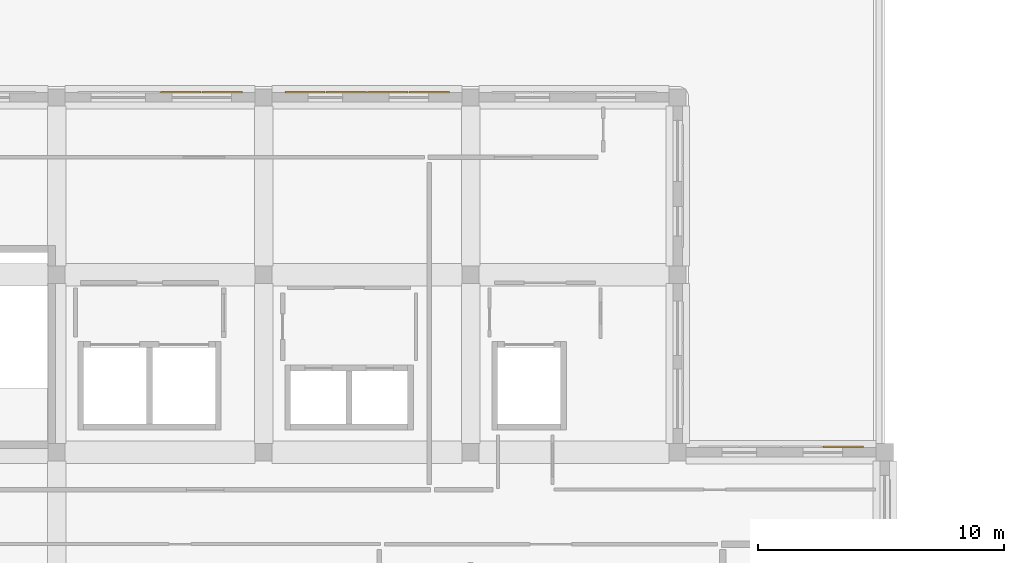
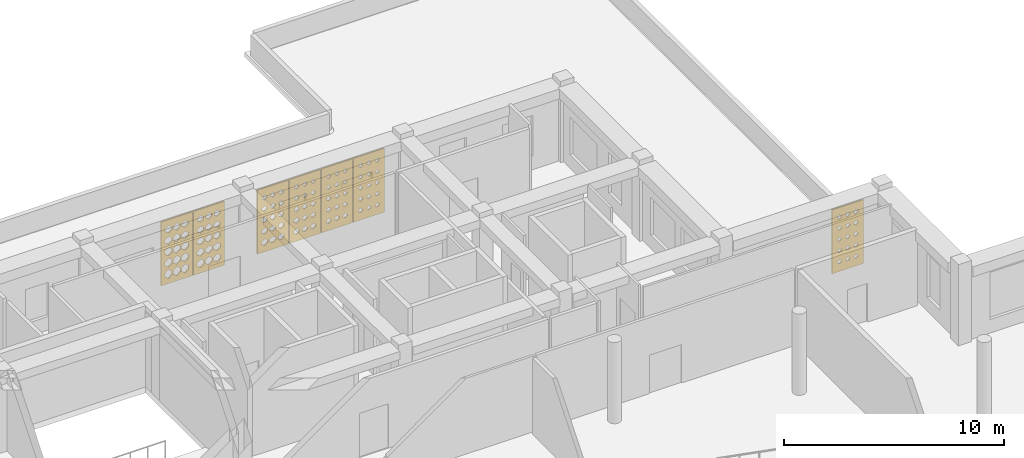
# One storey, part 45 of 47: 7 coverings.
"""IFC4 building model written with IfcOpenShell, lengths in metres."""

from ifc_helpers import new_model, si_unit, derived_unit, direction, frame, origin, place, context, subcontext, project, spatial, polyline, outline, extrude, material, layer, layer_set, type_object, element, save


model = new_model("IFC4")

# Units and contexts
model_context = context("Model", 3, precision=1e-05, world=origin(), true_north=direction((0.0, 1.0)))
body_context = subcontext(model_context, "Body", "Model", "MODEL_VIEW")
ifc_project = project(units=[si_unit("LENGTHUNIT", "METRE"), si_unit("AREAUNIT", "SQUARE_METRE"), si_unit("VOLUMEUNIT", "CUBIC_METRE"), si_unit("PLANEANGLEUNIT", "RADIAN"), si_unit("MASSUNIT", "GRAM", prefix="KILO"), derived_unit("THERMALTRANSMITTANCEUNIT", [(si_unit("POWERUNIT", "WATT"), 1), (si_unit("LENGTHUNIT", "METRE"), -2), (si_unit("THERMODYNAMICTEMPERATUREUNIT", "KELVIN"), -1)])], contexts=[model_context])

# Site, building, storey
site_placement = place(None, origin())
site = spatial("IfcSite", under=ifc_project, at=site_placement, CompositionType="ELEMENT")
building_placement = place(site_placement, origin())
building = spatial("IfcBuilding", under=site, at=building_placement, Name="Veybourne Emporium", CompositionType="ELEMENT")
storey_placement = place(building_placement, frame((0.0, 0.0, 23.39990234375)))
storey = spatial("IfcBuildingStorey", under=building, at=storey_placement, Name="L05", CompositionType="ELEMENT", Elevation=23.39990234375)

# Coverings
ifc_material = material(Name="Warm-White Perforated Aluminium Screen Alloy", Category="aluminium")
ifc_layer_1 = layer(ifc_material, 0.06005859375)
ifc_layer_set_1 = layer_set([ifc_layer_1], Name="Warm-White Perforated Aluminium Screen Alloy")
covering_type_1 = type_object("IfcCoveringType", Name="WaveScreen_SCR-01", PredefinedType="CLADDING", material=ifc_layer_set_1)
covering_1_placement = place(storey_placement, frame((63.840087890625, 86.64794921875, 1.830078125), z_axis=(0.0, -1.0, 0.0), x_axis=(1.0, 0.0, 0.0)))
element("IfcCovering", 1, at=covering_1_placement, inside=storey, type_object=covering_type_1, Name="L05 wave-perforated aluminium screen SCR-01 (40.3)", PredefinedType="CLADDING", context=body_context, shape_type="SweptSolid", body=[
    extrude(outline(polyline([(-0.81982421875, -1.77001953125), (0.81982421875, -1.77001953125), (0.81982421875, 1.77001953125), (-0.81982421875, 1.77001953125), (-0.81982421875, -1.77001953125)]), holes=[polyline([(-0.433349609375, -0.986328125), (-0.2470703125, -1.148681640625), (-0.2470703125, -1.331298828125), (-0.433349609375, -1.49365234375), (-0.61962890625, -1.331298828125), (-0.61962890625, -1.148681640625), (-0.433349609375, -0.986328125)]), polyline([(-0.433349609375, -0.376708984375), (-0.2470703125, -0.532470703125), (-0.2470703125, -0.70751953125), (-0.433349609375, -0.86328125), (-0.61962890625, -0.70751953125), (-0.61962890625, -0.532470703125), (-0.433349609375, -0.376708984375)]), polyline([(-0.433349609375, 0.231201171875), (-0.2470703125, 0.083251953125), (-0.2470703125, -0.083251953125), (-0.433349609375, -0.231201171875), (-0.61962890625, -0.083251953125), (-0.61962890625, 0.083251953125), (-0.433349609375, 0.231201171875)]), polyline([(-0.433349609375, 0.838134765625), (-0.2470703125, 0.698486328125), (-0.2470703125, 0.54150390625), (-0.433349609375, 0.40185546875), (-0.61962890625, 0.54150390625), (-0.61962890625, 0.698486328125), (-0.433349609375, 0.838134765625)]), polyline([(-0.433349609375, 1.444091796875), (-0.25634765625, 1.3134765625), (-0.25634765625, 1.16650390625), (-0.433349609375, 1.035888671875), (-0.6103515625, 1.16650390625), (-0.6103515625, 1.3134765625), (-0.433349609375, 1.444091796875)]), polyline([(0.0, -0.99072265625), (0.186279296875, -1.150390625), (0.186279296875, -1.32958984375), (0.0, -1.4892578125), (-0.186279296875, -1.32958984375), (-0.186279296875, -1.150390625), (0.0, -0.99072265625)]), polyline([(0.0, -0.382080078125), (0.186279296875, -0.5341796875), (0.186279296875, -0.705810546875), (0.0, -0.85791015625), (-0.186279296875, -0.705810546875), (-0.186279296875, -0.5341796875), (0.0, -0.382080078125)]), polyline([(0.0, 0.225341796875), (0.186279296875, 0.081298828125), (0.186279296875, -0.081298828125), (0.0, -0.225341796875), (-0.186279296875, -0.081298828125), (-0.186279296875, 0.081298828125), (0.0, 0.225341796875)]), polyline([(0.0, 0.831787109375), (0.183349609375, 0.6962890625), (0.183349609375, 0.543701171875), (0.0, 0.408203125), (-0.183349609375, 0.543701171875), (-0.183349609375, 0.6962890625), (0.0, 0.831787109375)]), polyline([(0.0, 1.437744140625), (0.171875, 1.311279296875), (0.171875, 1.168701171875), (0.0, 1.042236328125), (-0.171875, 1.168701171875), (-0.171875, 1.311279296875), (0.0, 1.437744140625)]), polyline([(0.433349609375, -0.99560546875), (0.61962890625, -1.152099609375), (0.61962890625, -1.327880859375), (0.433349609375, -1.484375), (0.2470703125, -1.327880859375), (0.2470703125, -1.152099609375), (0.433349609375, -0.99560546875)]), polyline([(0.433349609375, -0.387451171875), (0.61962890625, -0.536376953125), (0.61962890625, -0.70361328125), (0.433349609375, -0.8525390625), (0.2470703125, -0.70361328125), (0.2470703125, -0.536376953125), (0.433349609375, -0.387451171875)]), polyline([(0.433349609375, 0.219482421875), (0.61962890625, 0.0791015625), (0.61962890625, -0.0791015625), (0.433349609375, -0.219482421875), (0.2470703125, -0.0791015625), (0.2470703125, 0.0791015625), (0.433349609375, 0.219482421875)]), polyline([(0.433349609375, 0.82568359375), (0.611572265625, 0.694091796875), (0.611572265625, 0.5458984375), (0.433349609375, 0.414306640625), (0.255126953125, 0.5458984375), (0.255126953125, 0.694091796875), (0.433349609375, 0.82568359375)]), polyline([(0.433349609375, 1.431396484375), (0.599853515625, 1.308837890625), (0.599853515625, 1.171142578125), (0.433349609375, 1.048583984375), (0.266845703125, 1.171142578125), (0.266845703125, 1.308837890625), (0.433349609375, 1.431396484375)])]), origin(), (0.0, 0.0, 1.0), 0.06005859375),
])
covering_2_placement = place(storey_placement, frame((68.8798828125, 86.64794921875, 1.830078125), z_axis=(0.0, -1.0, 0.0), x_axis=(1.0, 0.0, 0.0)))
element("IfcCovering", 2, at=covering_2_placement, inside=storey, type_object=covering_type_1, Name="L05 wave-perforated aluminium screen SCR-01 (42.1)", PredefinedType="CLADDING", context=body_context, shape_type="SweptSolid", body=[
    extrude(outline(polyline([(-0.81982421875, -1.77001953125), (0.81982421875, -1.77001953125), (0.81982421875, 1.77001953125), (-0.81982421875, 1.77001953125), (-0.81982421875, -1.77001953125)]), holes=[polyline([(-0.433349609375, -1.053466796875), (-0.2705078125, -1.1728515625), (-0.2705078125, -1.30712890625), (-0.433349609375, -1.426513671875), (-0.595947265625, -1.30712890625), (-0.595947265625, -1.1728515625), (-0.433349609375, -1.053466796875)]), polyline([(-0.433349609375, -0.447509765625), (-0.2822265625, -0.557861328125), (-0.2822265625, -0.68212890625), (-0.433349609375, -0.79248046875), (-0.58447265625, -0.68212890625), (-0.58447265625, -0.557861328125), (-0.433349609375, -0.447509765625)]), polyline([(-0.433349609375, 0.158935546875), (-0.293212890625, 0.05712890625), (-0.293212890625, -0.05712890625), (-0.433349609375, -0.158935546875), (-0.573486328125, -0.05712890625), (-0.573486328125, 0.05712890625), (-0.433349609375, 0.158935546875)]), polyline([(-0.433349609375, 0.7666015625), (-0.303466796875, 0.672607421875), (-0.303466796875, 0.5673828125), (-0.433349609375, 0.473388671875), (-0.563232421875, 0.5673828125), (-0.563232421875, 0.672607421875), (-0.433349609375, 0.7666015625)]), polyline([(-0.433349609375, 1.375244140625), (-0.3125, 1.288818359375), (-0.3125, 1.19140625), (-0.433349609375, 1.104736328125), (-0.55419921875, 1.19140625), (-0.55419921875, 1.288818359375), (-0.433349609375, 1.375244140625)]), polyline([(0.0, -1.059814453125), (0.157470703125, -1.175048828125), (0.157470703125, -1.304931640625), (0.0, -1.420166015625), (-0.157470703125, -1.304931640625), (-0.157470703125, -1.175048828125), (0.0, -1.059814453125)]), polyline([(0.0, -0.45361328125), (0.14599609375, -0.56005859375), (0.14599609375, -0.679931640625), (0.0, -0.786376953125), (-0.14599609375, -0.679931640625), (-0.14599609375, -0.56005859375), (0.0, -0.45361328125)]), polyline([(0.0, 0.1533203125), (0.13525390625, 0.05517578125), (0.13525390625, -0.05517578125), (0.0, -0.1533203125), (-0.13525390625, -0.05517578125), (-0.13525390625, 0.05517578125), (0.0, 0.1533203125)]), polyline([(0.0, 0.76123046875), (0.12548828125, 0.6708984375), (0.12548828125, 0.569091796875), (0.0, 0.478759765625), (-0.12548828125, 0.569091796875), (-0.12548828125, 0.6708984375), (0.0, 0.76123046875)]), polyline([(0.0, 1.370849609375), (0.1171875, 1.287109375), (0.1171875, 1.19287109375), (0.0, 1.109130859375), (-0.1171875, 1.19287109375), (-0.1171875, 1.287109375), (0.0, 1.370849609375)]), polyline([(0.433349609375, -1.066162109375), (0.585693359375, -1.177490234375), (0.585693359375, -1.302490234375), (0.433349609375, -1.413818359375), (0.281005859375, -1.302490234375), (0.281005859375, -1.177490234375), (0.433349609375, -1.066162109375)]), polyline([(0.433349609375, -0.459716796875), (0.574462890625, -0.562255859375), (0.574462890625, -0.677734375), (0.433349609375, -0.7802734375), (0.292236328125, -0.677734375), (0.292236328125, -0.562255859375), (0.433349609375, -0.459716796875)]), polyline([(0.433349609375, 0.147705078125), (0.564208984375, 0.05322265625), (0.564208984375, -0.05322265625), (0.433349609375, -0.147705078125), (0.302490234375, -0.05322265625), (0.302490234375, 0.05322265625), (0.433349609375, 0.147705078125)]), polyline([(0.433349609375, 0.75634765625), (0.554931640625, 0.669189453125), (0.554931640625, 0.57080078125), (0.433349609375, 0.483642578125), (0.311767578125, 0.57080078125), (0.311767578125, 0.669189453125), (0.433349609375, 0.75634765625)]), polyline([(0.433349609375, 1.36669921875), (0.547119140625, 1.28564453125), (0.547119140625, 1.1943359375), (0.433349609375, 1.11328125), (0.319580078125, 1.1943359375), (0.319580078125, 1.28564453125), (0.433349609375, 1.36669921875)])]), origin(), (0.0, 0.0, 1.0), 0.06005859375),
])
ifc_layer_2 = layer(ifc_material, 0.06005859375)
ifc_layer_set_2 = layer_set([ifc_layer_2], Name="Warm-White Perforated Aluminium Screen Alloy")
covering_type_2 = type_object("IfcCoveringType", Name="WaveScreen_SCR-02", PredefinedType="CLADDING", material=ifc_layer_set_2)
covering_3_placement = place(storey_placement, frame((65.52001953125, 86.64794921875, 1.830078125), z_axis=(0.0, -1.0, 0.0), x_axis=(1.0, 0.0, 0.0)))
element("IfcCovering", 3, at=covering_3_placement, inside=storey, type_object=covering_type_2, Name="L05 wave-perforated aluminium screen SCR-02 (40.4)", PredefinedType="CLADDING", context=body_context, shape_type="SweptSolid", body=[
    extrude(outline(polyline([(-0.81982421875, -1.77001953125), (0.81982421875, -1.77001953125), (0.81982421875, 1.77001953125), (-0.81982421875, 1.77001953125), (-0.81982421875, -1.77001953125)]), holes=[polyline([(-0.433349609375, -1.005615234375), (-0.2470703125, -1.155517578125), (-0.2470703125, -1.324462890625), (-0.433349609375, -1.474609375), (-0.61962890625, -1.324462890625), (-0.61962890625, -1.155517578125), (-0.433349609375, -1.005615234375)]), polyline([(-0.433349609375, -0.3984375), (-0.2470703125, -0.540283203125), (-0.2470703125, -0.69970703125), (-0.433349609375, -0.841552734375), (-0.61962890625, -0.69970703125), (-0.61962890625, -0.540283203125), (-0.433349609375, -0.3984375)]), polyline([(-0.433349609375, 0.207763671875), (-0.25341796875, 0.07470703125), (-0.25341796875, -0.07470703125), (-0.433349609375, -0.207763671875), (-0.61328125, -0.07470703125), (-0.61328125, 0.07470703125), (-0.433349609375, 0.207763671875)]), polyline([(-0.433349609375, 0.8134765625), (-0.264892578125, 0.689697265625), (-0.264892578125, 0.55029296875), (-0.433349609375, 0.426513671875), (-0.601806640625, 0.55029296875), (-0.601806640625, 0.689697265625), (-0.433349609375, 0.8134765625)]), polyline([(-0.433349609375, 1.419189453125), (-0.276611328125, 1.304443359375), (-0.276611328125, 1.175537109375), (-0.433349609375, 1.060791015625), (-0.590087890625, 1.175537109375), (-0.590087890625, 1.304443359375), (-0.433349609375, 1.419189453125)]), polyline([(0.0, -1.01123046875), (0.186279296875, -1.15771484375), (0.186279296875, -1.322509765625), (0.0, -1.46875), (-0.186279296875, -1.322509765625), (-0.186279296875, -1.15771484375), (0.0, -1.01123046875)]), polyline([(0.0, -0.404541015625), (0.186279296875, -0.54248046875), (0.186279296875, -0.697509765625), (0.0, -0.83544921875), (-0.186279296875, -0.697509765625), (-0.186279296875, -0.54248046875), (0.0, -0.404541015625)]), polyline([(0.0, 0.201416015625), (0.1748046875, 0.072509765625), (0.1748046875, -0.072509765625), (0.0, -0.201416015625), (-0.1748046875, -0.072509765625), (-0.1748046875, 0.072509765625), (0.0, 0.201416015625)]), polyline([(0.0, 0.80712890625), (0.1630859375, 0.6875), (0.1630859375, 0.552490234375), (0.0, 0.432861328125), (-0.1630859375, 0.552490234375), (-0.1630859375, 0.6875), (0.0, 0.80712890625)]), polyline([(0.0, 1.4130859375), (0.151611328125, 1.30224609375), (0.151611328125, 1.177734375), (0.0, 1.06689453125), (-0.151611328125, 1.177734375), (-0.151611328125, 1.30224609375), (0.0, 1.4130859375)]), polyline([(0.433349609375, -1.01708984375), (0.61962890625, -1.159912109375), (0.61962890625, -1.3203125), (0.433349609375, -1.462890625), (0.2470703125, -1.3203125), (0.2470703125, -1.159912109375), (0.433349609375, -1.01708984375)]), polyline([(0.433349609375, -0.410888671875), (0.614501953125, -0.544677734375), (0.614501953125, -0.6953125), (0.433349609375, -0.8291015625), (0.252197265625, -0.6953125), (0.252197265625, -0.544677734375), (0.433349609375, -0.410888671875)]), polyline([(0.433349609375, 0.195068359375), (0.602783203125, 0.0703125), (0.602783203125, -0.0703125), (0.433349609375, -0.195068359375), (0.263916015625, -0.0703125), (0.263916015625, 0.0703125), (0.433349609375, 0.195068359375)]), polyline([(0.433349609375, 0.80078125), (0.59130859375, 0.68505859375), (0.59130859375, 0.554931640625), (0.433349609375, 0.439208984375), (0.275390625, 0.554931640625), (0.275390625, 0.68505859375), (0.433349609375, 0.80078125)]), polyline([(0.433349609375, 1.40673828125), (0.579833984375, 1.300048828125), (0.579833984375, 1.179931640625), (0.433349609375, 1.0732421875), (0.286865234375, 1.179931640625), (0.286865234375, 1.300048828125), (0.433349609375, 1.40673828125)])]), origin(), (0.0, 0.0, 1.0), 0.06005859375),
])
covering_4_placement = place(storey_placement, frame((70.56005859375, 86.64794921875, 1.830078125), z_axis=(0.0, -1.0, 0.0), x_axis=(1.0, 0.0, 0.0)))
element("IfcCovering", 4, at=covering_4_placement, inside=storey, type_object=covering_type_2, Name="L05 wave-perforated aluminium screen SCR-02 (42.2)", PredefinedType="CLADDING", context=body_context, shape_type="SweptSolid", body=[
    extrude(outline(polyline([(-0.81982421875, -1.77001953125), (0.81982421875, -1.77001953125), (0.81982421875, 1.77001953125), (-0.81982421875, 1.77001953125), (-0.81982421875, -1.77001953125)]), holes=[polyline([(-0.433349609375, -1.07763671875), (-0.29052734375, -1.181396484375), (-0.29052734375, -1.298583984375), (-0.433349609375, -1.40234375), (-0.576171875, -1.298583984375), (-0.576171875, -1.181396484375), (-0.433349609375, -1.07763671875)]), polyline([(-0.433349609375, -0.470458984375), (-0.301025390625, -0.566162109375), (-0.301025390625, -0.673828125), (-0.433349609375, -0.76953125), (-0.565673828125, -0.673828125), (-0.565673828125, -0.566162109375), (-0.433349609375, -0.470458984375)]), polyline([(-0.433349609375, 0.137939453125), (-0.310302734375, 0.0498046875), (-0.310302734375, -0.0498046875), (-0.433349609375, -0.137939453125), (-0.556396484375, -0.0498046875), (-0.556396484375, 0.0498046875), (-0.433349609375, 0.137939453125)]), polyline([(-0.433349609375, 0.748291015625), (-0.318603515625, 0.666015625), (-0.318603515625, 0.573974609375), (-0.433349609375, 0.49169921875), (-0.548095703125, 0.573974609375), (-0.548095703125, 0.666015625), (-0.433349609375, 0.748291015625)]), polyline([(-0.433349609375, 1.360107421875), (-0.324951171875, 1.283203125), (-0.324951171875, 1.19677734375), (-0.433349609375, 1.119873046875), (-0.541748046875, 1.19677734375), (-0.541748046875, 1.283203125), (-0.433349609375, 1.360107421875)]), polyline([(0.0, -1.08349609375), (0.137939453125, -1.18359375), (0.137939453125, -1.29638671875), (0.0, -1.396484375), (-0.137939453125, -1.29638671875), (-0.137939453125, -1.18359375), (0.0, -1.08349609375)]), polyline([(0.0, -0.475830078125), (0.1279296875, -0.568115234375), (0.1279296875, -0.671875), (0.0, -0.76416015625), (-0.1279296875, -0.671875), (-0.1279296875, -0.568115234375), (0.0, -0.475830078125)]), polyline([(0.0, 0.13330078125), (0.119140625, 0.048095703125), (0.119140625, -0.048095703125), (0.0, -0.13330078125), (-0.119140625, -0.048095703125), (-0.119140625, 0.048095703125), (0.0, 0.13330078125)]), polyline([(0.0, 0.744384765625), (0.11181640625, 0.664794921875), (0.11181640625, 0.5751953125), (0.0, 0.49560546875), (-0.11181640625, 0.5751953125), (-0.11181640625, 0.664794921875), (0.0, 0.744384765625)]), polyline([(0.0, 1.357421875), (0.10595703125, 1.2822265625), (0.10595703125, 1.19775390625), (0.0, 1.122802734375), (-0.10595703125, 1.19775390625), (-0.10595703125, 1.2822265625), (0.0, 1.357421875)]), polyline([(0.433349609375, -1.089111328125), (0.566650390625, -1.185791015625), (0.566650390625, -1.294189453125), (0.433349609375, -1.390869140625), (0.2998046875, -1.294189453125), (0.2998046875, -1.185791015625), (0.433349609375, -1.089111328125)]), polyline([(0.433349609375, -0.48095703125), (0.55712890625, -0.56982421875), (0.55712890625, -0.670166015625), (0.433349609375, -0.759033203125), (0.3095703125, -0.670166015625), (0.3095703125, -0.56982421875), (0.433349609375, -0.48095703125)]), polyline([(0.433349609375, 0.129150390625), (0.548828125, 0.04638671875), (0.548828125, -0.04638671875), (0.433349609375, -0.129150390625), (0.317626953125, -0.04638671875), (0.317626953125, 0.04638671875), (0.433349609375, 0.129150390625)]), polyline([(0.433349609375, 0.740966796875), (0.542236328125, 0.66357421875), (0.542236328125, 0.576416015625), (0.433349609375, 0.4990234375), (0.324462890625, 0.576416015625), (0.324462890625, 0.66357421875), (0.433349609375, 0.740966796875)]), polyline([(0.433349609375, 1.35498046875), (0.537353515625, 1.281494140625), (0.537353515625, 1.198486328125), (0.433349609375, 1.125), (0.329345703125, 1.198486328125), (0.329345703125, 1.281494140625), (0.433349609375, 1.35498046875)])]), origin(), (0.0, 0.0, 1.0), 0.06005859375),
])
ifc_layer_3 = layer(ifc_material, 0.06005859375)
ifc_layer_set_3 = layer_set([ifc_layer_3], Name="Warm-White Perforated Aluminium Screen Alloy")
covering_type_3 = type_object("IfcCoveringType", Name="WaveScreen_SCR-03", PredefinedType="CLADDING", material=ifc_layer_set_3)
covering_5_placement = place(storey_placement, frame((72.239990234375, 86.64794921875, 1.830078125), z_axis=(0.0, -1.0, 0.0), x_axis=(1.0, 0.0, 0.0)))
element("IfcCovering", 5, at=covering_5_placement, inside=storey, type_object=covering_type_3, Name="L05 wave-perforated aluminium screen SCR-03 (42.3)", PredefinedType="CLADDING", context=body_context, shape_type="SweptSolid", body=[
    extrude(outline(polyline([(-0.81982421875, -1.77001953125), (0.81982421875, -1.77001953125), (0.81982421875, 1.77001953125), (-0.81982421875, 1.77001953125), (-0.81982421875, -1.77001953125)]), holes=[polyline([(-0.433349609375, -1.09912109375), (-0.30810546875, -1.189208984375), (-0.30810546875, -1.290771484375), (-0.433349609375, -1.380859375), (-0.55859375, -1.290771484375), (-0.55859375, -1.189208984375), (-0.433349609375, -1.09912109375)]), polyline([(-0.433349609375, -0.489501953125), (-0.31640625, -0.572998046875), (-0.31640625, -0.6669921875), (-0.433349609375, -0.75048828125), (-0.550048828125, -0.6669921875), (-0.550048828125, -0.572998046875), (-0.433349609375, -0.489501953125)]), polyline([(-0.433349609375, 0.1220703125), (-0.323486328125, 0.0439453125), (-0.323486328125, -0.0439453125), (-0.433349609375, -0.1220703125), (-0.543212890625, -0.0439453125), (-0.543212890625, 0.0439453125), (-0.433349609375, 0.1220703125)]), polyline([(-0.433349609375, 0.735595703125), (-0.32861328125, 0.66162109375), (-0.32861328125, 0.578369140625), (-0.433349609375, 0.50439453125), (-0.5380859375, 0.578369140625), (-0.5380859375, 0.66162109375), (-0.433349609375, 0.735595703125)]), polyline([(-0.433349609375, 1.3515625), (-0.33203125, 1.2802734375), (-0.33203125, 1.19970703125), (-0.433349609375, 1.12841796875), (-0.53466796875, 1.19970703125), (-0.53466796875, 1.2802734375), (-0.433349609375, 1.3515625)]), polyline([(0.0, -1.10400390625), (0.121337890625, -1.19091796875), (0.121337890625, -1.2890625), (0.0, -1.3759765625), (-0.121337890625, -1.2890625), (-0.121337890625, -1.19091796875), (0.0, -1.10400390625)]), polyline([(0.0, -0.493408203125), (0.113525390625, -0.574462890625), (0.113525390625, -0.66552734375), (0.0, -0.74658203125), (-0.113525390625, -0.66552734375), (-0.113525390625, -0.574462890625), (0.0, -0.493408203125)]), polyline([(0.0, 0.118896484375), (0.107421875, 0.042724609375), (0.107421875, -0.042724609375), (0.0, -0.118896484375), (-0.107421875, -0.042724609375), (-0.107421875, 0.042724609375), (0.0, 0.118896484375)]), polyline([(0.0, 0.733642578125), (0.102783203125, 0.660888671875), (0.102783203125, 0.5791015625), (0.0, 0.50634765625), (-0.102783203125, 0.5791015625), (-0.102783203125, 0.660888671875), (0.0, 0.733642578125)]), polyline([(0.0, 1.3505859375), (0.1005859375, 1.27978515625), (0.1005859375, 1.2001953125), (0.0, 1.12939453125), (-0.1005859375, 1.2001953125), (-0.1005859375, 1.27978515625), (0.0, 1.3505859375)]), polyline([(0.433349609375, -1.1083984375), (0.55078125, -1.192626953125), (0.55078125, -1.287353515625), (0.433349609375, -1.37158203125), (0.315673828125, -1.287353515625), (0.315673828125, -1.192626953125), (0.433349609375, -1.1083984375)]), polyline([(0.433349609375, -0.497314453125), (0.543701171875, -0.57568359375), (0.543701171875, -0.664306640625), (0.433349609375, -0.742919921875), (0.32275390625, -0.664306640625), (0.32275390625, -0.57568359375), (0.433349609375, -0.497314453125)]), polyline([(0.433349609375, 0.1162109375), (0.538330078125, 0.041748046875), (0.538330078125, -0.041748046875), (0.433349609375, -0.1162109375), (0.328125, -0.041748046875), (0.328125, 0.041748046875), (0.433349609375, 0.1162109375)]), polyline([(0.433349609375, 0.73193359375), (0.534912109375, 0.660400390625), (0.534912109375, 0.57958984375), (0.433349609375, 0.508056640625), (0.331787109375, 0.57958984375), (0.331787109375, 0.660400390625), (0.433349609375, 0.73193359375)]), polyline([(0.433349609375, 1.35009765625), (0.533447265625, 1.279541015625), (0.533447265625, 1.200439453125), (0.433349609375, 1.1298828125), (0.333251953125, 1.200439453125), (0.333251953125, 1.279541015625), (0.433349609375, 1.35009765625)])]), origin(), (0.0, 0.0, 1.0), 0.06005859375),
])
ifc_layer_4 = layer(ifc_material, 0.06005859375)
ifc_layer_set_4 = layer_set([ifc_layer_4], Name="Warm-White Perforated Aluminium Screen Alloy")
covering_type_4 = type_object("IfcCoveringType", Name="WaveScreen_SCR-04", PredefinedType="CLADDING", material=ifc_layer_set_4)
covering_6_placement = place(storey_placement, frame((73.919921875, 86.64794921875, 1.830078125), z_axis=(0.0, -1.0, 0.0), x_axis=(1.0, 0.0, 0.0)))
element("IfcCovering", 6, at=covering_6_placement, inside=storey, type_object=covering_type_4, Name="L05 wave-perforated aluminium screen SCR-04 (42.4)", PredefinedType="CLADDING", context=body_context, shape_type="SweptSolid", body=[
    extrude(outline(polyline([(-0.81982421875, -1.77001953125), (0.81982421875, -1.77001953125), (0.81982421875, 1.77001953125), (-0.81982421875, 1.77001953125), (-0.81982421875, -1.77001953125)]), holes=[polyline([(-0.433349609375, -1.115966796875), (-0.32177734375, -1.1953125), (-0.32177734375, -1.28466796875), (-0.433349609375, -1.364013671875), (-0.544921875, -1.28466796875), (-0.544921875, -1.1953125), (-0.433349609375, -1.115966796875)]), polyline([(-0.433349609375, -0.5029296875), (-0.327392578125, -0.577880859375), (-0.327392578125, -0.662109375), (-0.433349609375, -0.737060546875), (-0.539306640625, -0.662109375), (-0.539306640625, -0.577880859375), (-0.433349609375, -0.5029296875)]), polyline([(-0.433349609375, 0.112548828125), (-0.331298828125, 0.04052734375), (-0.331298828125, -0.04052734375), (-0.433349609375, -0.112548828125), (-0.535400390625, -0.04052734375), (-0.535400390625, 0.04052734375), (-0.433349609375, 0.112548828125)]), polyline([(-0.433349609375, 0.730224609375), (-0.333251953125, 0.65966796875), (-0.333251953125, 0.580322265625), (-0.433349609375, 0.509765625), (-0.533447265625, 0.580322265625), (-0.533447265625, 0.65966796875), (-0.433349609375, 0.730224609375)]), polyline([(-0.433349609375, 1.350341796875), (-0.3330078125, 1.27978515625), (-0.3330078125, 1.2001953125), (-0.433349609375, 1.129638671875), (-0.53369140625, 1.2001953125), (-0.53369140625, 1.27978515625), (-0.433349609375, 1.350341796875)]), polyline([(0.0, -1.119384765625), (0.108642578125, -1.196533203125), (0.108642578125, -1.283447265625), (0.0, -1.360595703125), (-0.108642578125, -1.283447265625), (-0.108642578125, -1.196533203125), (0.0, -1.119384765625)]), polyline([(0.0, -0.50537109375), (0.10400390625, -0.57861328125), (0.10400390625, -0.661376953125), (0.0, -0.734619140625), (-0.10400390625, -0.661376953125), (-0.10400390625, -0.57861328125), (0.0, -0.50537109375)]), polyline([(0.0, 0.111083984375), (0.100830078125, 0.0400390625), (0.100830078125, -0.0400390625), (0.0, -0.111083984375), (-0.100830078125, -0.0400390625), (-0.100830078125, 0.0400390625), (0.0, 0.111083984375)]), polyline([(0.0, 0.72998046875), (0.10009765625, 0.65966796875), (0.10009765625, 0.580322265625), (0.0, 0.510009765625), (-0.10009765625, 0.580322265625), (-0.10009765625, 0.65966796875), (0.0, 0.72998046875)]), polyline([(0.0, 1.351318359375), (0.10107421875, 1.280029296875), (0.10107421875, 1.199951171875), (0.0, 1.128662109375), (-0.10107421875, 1.199951171875), (-0.10107421875, 1.280029296875), (0.0, 1.351318359375)]), polyline([(0.433349609375, -1.122314453125), (0.539794921875, -1.197509765625), (0.539794921875, -1.282470703125), (0.433349609375, -1.357666015625), (0.326904296875, -1.282470703125), (0.326904296875, -1.197509765625), (0.433349609375, -1.122314453125)]), polyline([(0.433349609375, -0.507080078125), (0.53564453125, -0.579345703125), (0.53564453125, -0.66064453125), (0.433349609375, -0.73291015625), (0.3310546875, -0.66064453125), (0.3310546875, -0.579345703125), (0.433349609375, -0.507080078125)]), polyline([(0.433349609375, 0.1103515625), (0.53369140625, 0.039794921875), (0.53369140625, -0.039794921875), (0.433349609375, -0.1103515625), (0.3330078125, -0.039794921875), (0.3330078125, 0.039794921875), (0.433349609375, 0.1103515625)]), polyline([(0.433349609375, 0.730224609375), (0.53369140625, 0.65966796875), (0.53369140625, 0.580322265625), (0.433349609375, 0.509765625), (0.3330078125, 0.580322265625), (0.3330078125, 0.65966796875), (0.433349609375, 0.730224609375)]), polyline([(0.433349609375, 1.352783203125), (0.53564453125, 1.280517578125), (0.53564453125, 1.199462890625), (0.433349609375, 1.127197265625), (0.3310546875, 1.199462890625), (0.3310546875, 1.280517578125), (0.433349609375, 1.352783203125)])]), origin(), (0.0, 0.0, 1.0), 0.06005859375),
])
covering_7_placement = place(storey_placement, frame((90.719970703125, 72.248046875, 1.830078125), z_axis=(0.0, -1.0, 0.0), x_axis=(1.0, 0.0, 0.0)))
element("IfcCovering", 7, at=covering_7_placement, inside=storey, type_object=covering_type_4, Name="L05 wave-perforated aluminium screen SCR-04 (50.4)", PredefinedType="CLADDING", context=body_context, shape_type="SweptSolid", body=[
    extrude(outline(polyline([(-0.81982421875, -1.77001953125), (0.81982421875, -1.77001953125), (0.81982421875, 1.77001953125), (-0.81982421875, 1.77001953125), (-0.81982421875, -1.77001953125)]), holes=[polyline([(-0.433349609375, -1.12890625), (-0.33251953125, -1.199951171875), (-0.33251953125, -1.280029296875), (-0.433349609375, -1.35107421875), (-0.5341796875, -1.280029296875), (-0.5341796875, -1.199951171875), (-0.433349609375, -1.12890625)]), polyline([(-0.433349609375, -0.510009765625), (-0.333251953125, -0.580322265625), (-0.333251953125, -0.65966796875), (-0.433349609375, -0.72998046875), (-0.533203125, -0.65966796875), (-0.533203125, -0.580322265625), (-0.433349609375, -0.510009765625)]), polyline([(-0.433349609375, 0.111328125), (-0.332275390625, 0.0400390625), (-0.332275390625, -0.0400390625), (-0.433349609375, -0.111328125), (-0.534423828125, -0.0400390625), (-0.534423828125, 0.0400390625), (-0.433349609375, 0.111328125)]), polyline([(-0.433349609375, 0.7353515625), (-0.3291015625, 0.66162109375), (-0.3291015625, 0.57861328125), (-0.433349609375, 0.504638671875), (-0.53759765625, 0.57861328125), (-0.53759765625, 0.66162109375), (-0.433349609375, 0.7353515625)]), polyline([(-0.433349609375, 1.361572265625), (-0.323974609375, 1.28369140625), (-0.323974609375, 1.1962890625), (-0.433349609375, 1.118408203125), (-0.542724609375, 1.1962890625), (-0.542724609375, 1.28369140625), (-0.433349609375, 1.361572265625)]), polyline([(0.0, -1.129638671875), (0.10009765625, -1.2001953125), (0.10009765625, -1.27978515625), (0.0, -1.350341796875), (-0.10009765625, -1.27978515625), (-0.10009765625, -1.2001953125), (0.0, -1.129638671875)]), polyline([(0.0, -0.509765625), (0.100341796875, -0.580322265625), (0.100341796875, -0.65966796875), (0.0, -0.730224609375), (-0.100341796875, -0.65966796875), (-0.100341796875, -0.580322265625), (0.0, -0.509765625)]), polyline([(0.0, 0.11279296875), (0.102294921875, 0.04052734375), (0.102294921875, -0.04052734375), (0.0, -0.11279296875), (-0.102294921875, -0.04052734375), (-0.102294921875, 0.04052734375), (0.0, 0.11279296875)]), polyline([(0.0, 0.73779296875), (0.1064453125, 0.662353515625), (0.1064453125, 0.57763671875), (0.0, 0.502197265625), (-0.1064453125, 0.57763671875), (-0.1064453125, 0.662353515625), (0.0, 0.73779296875)]), polyline([(0.0, 1.364990234375), (0.1123046875, 1.284912109375), (0.1123046875, 1.195068359375), (0.0, 1.114990234375), (-0.1123046875, 1.195068359375), (-0.1123046875, 1.284912109375), (0.0, 1.364990234375)]), polyline([(0.433349609375, -1.1298828125), (0.533203125, -1.200439453125), (0.533203125, -1.279541015625), (0.433349609375, -1.35009765625), (0.333251953125, -1.279541015625), (0.333251953125, -1.200439453125), (0.433349609375, -1.1298828125)]), polyline([(0.433349609375, -0.5087890625), (0.5341796875, -0.580078125), (0.5341796875, -0.659912109375), (0.433349609375, -0.731201171875), (0.33251953125, -0.659912109375), (0.33251953125, -0.580078125), (0.433349609375, -0.5087890625)]), polyline([(0.433349609375, 0.11474609375), (0.537353515625, 0.041259765625), (0.537353515625, -0.041259765625), (0.433349609375, -0.11474609375), (0.329345703125, -0.041259765625), (0.329345703125, 0.041259765625), (0.433349609375, 0.11474609375)]), polyline([(0.433349609375, 0.74072265625), (0.5419921875, 0.66357421875), (0.5419921875, 0.576416015625), (0.433349609375, 0.499267578125), (0.324462890625, 0.576416015625), (0.324462890625, 0.66357421875), (0.433349609375, 0.74072265625)]), polyline([(0.433349609375, 1.368896484375), (0.548828125, 1.286376953125), (0.548828125, 1.193603515625), (0.433349609375, 1.111083984375), (0.31787109375, 1.193603515625), (0.31787109375, 1.286376953125), (0.433349609375, 1.368896484375)])]), origin(), (0.0, 0.0, 1.0), 0.06005859375),
])

save(model, "model.ifc")
